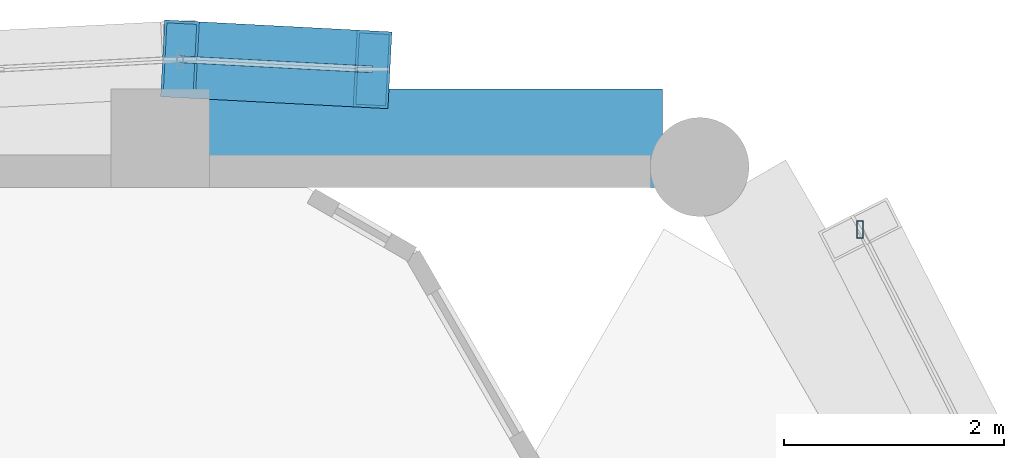
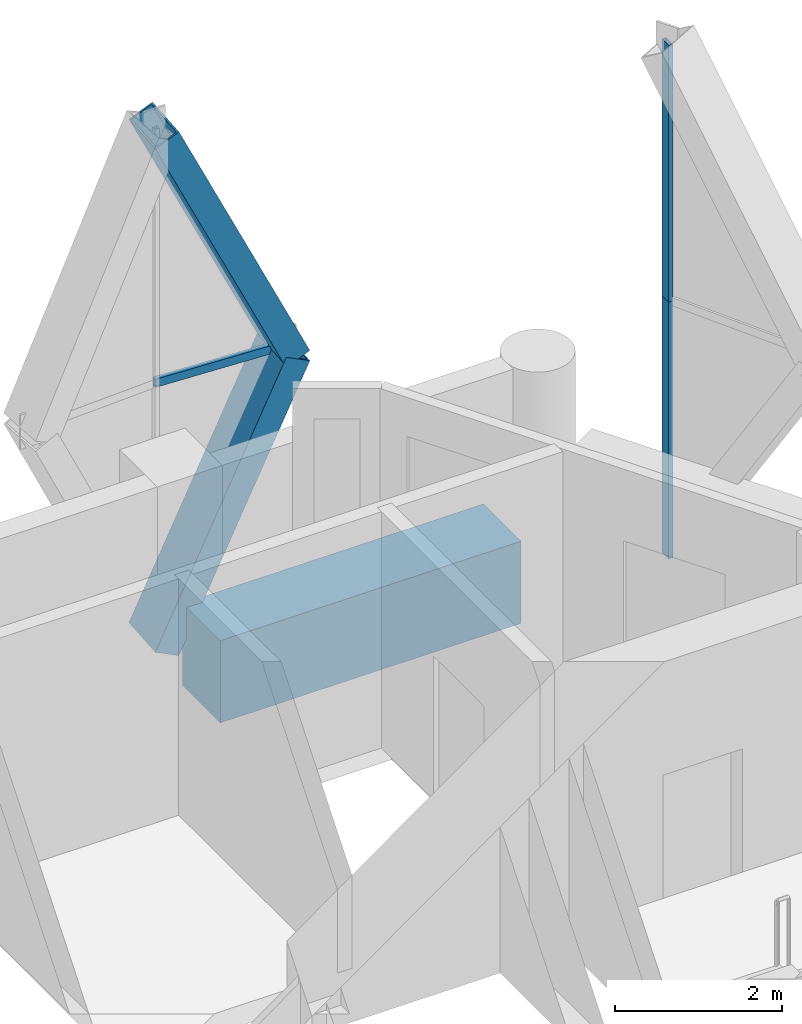
# One storey, part 15 of 27: 5 members, 1 beam, 2 elements without a shape of their own.
"""IFC4 building model written with IfcOpenShell, lengths in metres."""

from ifc_helpers import new_model, si_unit, direction, frame, origin, origin_2d, place, context, subcontext, project, spatial, rectangle, hollow_rectangle, extrude, material, material_profile, profile_set, type_object, element, aggregate, save


model = new_model("IFC4")

# Units and contexts
model_context = context("Model", 3, precision=1e-05, world=origin(), true_north=direction((0.0, 1.0)))
body_context = subcontext(model_context, "Body", "Model", "MODEL_VIEW")
ifc_project = project(units=[si_unit("LENGTHUNIT", "METRE"), si_unit("AREAUNIT", "SQUARE_METRE"), si_unit("VOLUMEUNIT", "CUBIC_METRE"), si_unit("PLANEANGLEUNIT", "RADIAN"), si_unit("MASSUNIT", "GRAM", prefix="KILO")], contexts=[model_context])

# Site, building, storey
site_placement = place(None, origin())
site = spatial("IfcSite", under=ifc_project, at=site_placement, CompositionType="ELEMENT")
building_placement = place(site_placement, origin())
building = spatial("IfcBuilding", under=site, at=building_placement, Name="Ostrander Bayou Hotel Tower", CompositionType="ELEMENT")
storey_placement = place(building_placement, frame((0.0, 0.0, 267.5)))
storey = spatial("IfcBuildingStorey", under=building, at=storey_placement, Name="L66", CompositionType="ELEMENT", Elevation=267.5)

# Curtain wall, members
ifc_material_1 = material(Name="Aluminium and clear glass", Category="aluminium")
curtain_wall_type = type_object("IfcCurtainWallType", Name="CW-LAT lattice glazing", PredefinedType="NOTDEFINED", material=ifc_material_1)
curtain_wall_1_placement = place(storey_placement, origin())
curtain_wall_1 = element("IfcCurtainWall", 1, at=curtain_wall_1_placement, inside=storey, type_object=curtain_wall_type, Name="CW-LAT L66 NE 1", PredefinedType="NOTDEFINED")
ifc_material_2 = material(Name="Aluminium", Category="aluminium")
ifc_material_profile_1 = material_profile(ifc_material_2, hollow_rectangle(XDim=0.06005859375, YDim=0.159912109375, WallThickness=0.00390625, at=origin_2d()))
ifc_profile_set_1 = profile_set([ifc_material_profile_1], Name="Aluminium")
member_type_1 = type_object("IfcMemberType", Name="CW-LA mullion 60 x 160 mm", PredefinedType="MULLION", material=ifc_profile_set_1)
member_1_placement = place(storey_placement, frame((9.704345703125, 16.0185546875, -0.60009765625), z_axis=(0.0, 0.0, 1.0), x_axis=(1.0, 0.0, 0.0)))
member_1 = element("IfcMember", 2, at=member_1_placement, type_object=member_type_1, Name="CW-LAT mullion 16", PredefinedType="MULLION", context=body_context, shape_type="SweptSolid", body=[
    extrude(hollow_rectangle(XDim=0.06005859375, YDim=0.159912109375, WallThickness=0.00390625, at=origin_2d()), origin(), (0.0, 0.0, 1.0), 3.75),
])
member_2_placement = place(storey_placement, frame((9.704345703125, 16.0185546875, 3.14990234375), z_axis=(0.0, 0.0, 1.0), x_axis=(1.0, 0.0, 0.0)))
member_2 = element("IfcMember", 3, at=member_2_placement, type_object=member_type_1, Name="CW-LAT mullion 17", PredefinedType="MULLION", context=body_context, shape_type="SweptSolid", body=[
    extrude(hollow_rectangle(XDim=0.06005859375, YDim=0.159912109375, WallThickness=0.00390625, at=origin_2d()), origin(), (0.0, 0.0, 1.0), 3.75),
])
aggregate(curtain_wall_1, [member_1, member_2])

# Curtain wall, member
curtain_wall_2_placement = place(storey_placement, origin())
curtain_wall_2 = element("IfcCurtainWall", 4, at=curtain_wall_2_placement, inside=storey, type_object=curtain_wall_type, Name="CW-LAT L66 N 2", PredefinedType="NOTDEFINED")
ifc_material_3 = material(Name="Aluminium", Category="aluminium")
ifc_material_profile_2 = material_profile(ifc_material_3, hollow_rectangle(XDim=0.06005859375, YDim=0.1201171875, WallThickness=0.00390625, at=origin_2d()))
ifc_profile_set_2 = profile_set([ifc_material_profile_2], Name="Aluminium")
member_type_2 = type_object("IfcMemberType", Name="CW-LA transom 60 x 120 mm", PredefinedType="USERDEFINED", material=ifc_profile_set_2)
member_3_placement = place(storey_placement, frame((3.508544921875, 17.570068359375, 3.14990234375), z_axis=(0.998626644723, -0.052391072232, 0.0), x_axis=(0.052391072232, 0.998626644723, 0.0)))
member_3 = element("IfcMember", 5, at=member_3_placement, type_object=member_type_2, Name="CW-LAT transom 3", ObjectType="TRANSOM", PredefinedType="USERDEFINED", context=body_context, shape_type="SweptSolid", body=[
    extrude(hollow_rectangle(XDim=0.06005859375, YDim=0.1201171875, WallThickness=0.00390625, at=origin_2d()), origin(), (0.0, 0.0, 1.0), 1.7568359375),
])
aggregate(curtain_wall_2, [member_3])

# Members
ifc_material_4 = material(Name="Steel ASTM A572 Gr 50", Category="steel")
ifc_material_profile_3 = material_profile(ifc_material_4, hollow_rectangle(XDim=0.699951171875, YDim=0.35009765625, WallThickness=0.02490234375, at=origin_2d()))
ifc_profile_set_3 = profile_set([ifc_material_profile_3], Name="Steel ASTM A572 Gr 50")
member_type_3 = type_object("IfcMemberType", Name="LT1 lattice member box 700 x 350 x 25 mm", PredefinedType="BRACE", material=ifc_profile_set_3)
for number, where, z_axis, x_axis, name in (
    (6, (5.262939453125, 17.47802734375, 3.14990234375), (-0.423652222488, 0.022226118547, -0.905552203926), (-0.052391072232, -0.998626644723, 0.0), "LT1 L66 N 1"),
    (7, (5.262939453125, 17.47802734375, 3.14990234375), (-0.423652222488, 0.022226118547, 0.905552203926), (-0.052391072232, -0.998626644723, 0.0), "LT1 L66 N 2"),
):
    element("IfcMember", number, at=place(storey_placement, frame(where, z_axis=z_axis, x_axis=x_axis)), inside=storey, type_object=member_type_3, Name=name, PredefinedType="BRACE", context=body_context, shape_type="SweptSolid", body=[
        extrude(hollow_rectangle(XDim=0.699951171875, YDim=0.35009765625, WallThickness=0.02490234375, at=origin_2d()), origin(), (0.0, 0.0, 1.0), 4.14111328125),
    ])

# Beam
ifc_material_5 = material(Name="Concrete f'c 60 MPa", Category="concrete")
ifc_material_profile_4 = material_profile(ifc_material_5, rectangle(XDim=0.89990234375, YDim=1.199951171875, at=origin_2d()))
ifc_profile_set_4 = profile_set([ifc_material_profile_4], Name="Concrete f'c 60 MPa")
beam_type = type_object("IfcBeamType", Name="SP4 spandrel beam 900 x 1200 mm f'c 60 MPa", PredefinedType="SPANDREL", material=ifc_profile_set_4)
beam_placement = place(storey_placement, frame((7.90576171875, 16.85009765625, -0.60009765625), z_axis=(-1.0, 0.0, 0.0), x_axis=(0.0, -1.0, 0.0)))
element("IfcBeam", 8, at=beam_placement, inside=storey, type_object=beam_type, Name="SP4 L66 N-1", PredefinedType="SPANDREL", context=body_context, shape_type="SweptSolid", body=[
    extrude(rectangle(XDim=0.89990234375, YDim=1.199951171875, at=origin_2d()), origin(), (0.0, 0.0, 1.0), 4.15625),
])

save(model, "model.ifc")
